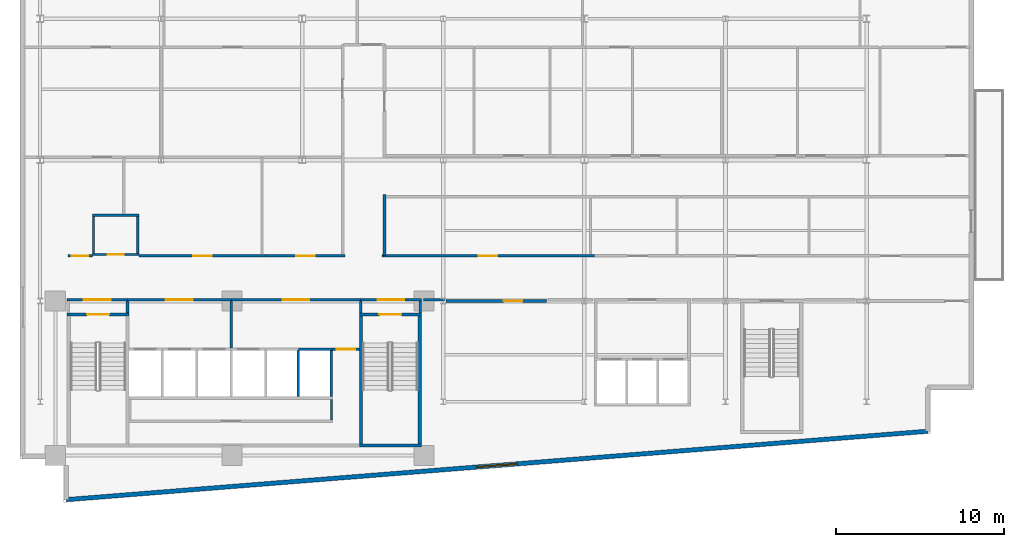
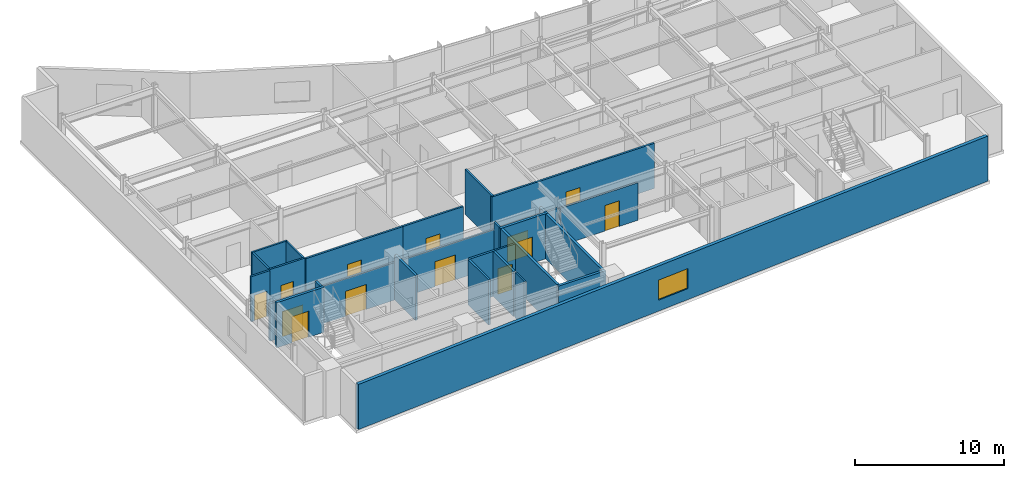
# One storey, part 9 of 17: 30 walls, 13 doors, 1 window, 14 openings.
"""IFC4 building model written with IfcOpenShell, lengths in metres."""

from ifc_helpers import new_model, si_unit, direction, frame, frame_2d, origin, place, context, subcontext, project, spatial, rectangle, extrude, material, layer, layer_set, type_object, element, fill, save


model = new_model("IFC4")

# Units and contexts
model_context = context("Model", 3, precision=1e-05, world=origin(), true_north=direction((0.0, 1.0)))
body_context = subcontext(model_context, "Body", "Model", "MODEL_VIEW")
ifc_project = project(units=[si_unit("LENGTHUNIT", "METRE"), si_unit("AREAUNIT", "SQUARE_METRE"), si_unit("VOLUMEUNIT", "CUBIC_METRE"), si_unit("PLANEANGLEUNIT", "RADIAN"), si_unit("MASSUNIT", "GRAM", prefix="KILO")], contexts=[model_context])

# Site, building, storey
site_placement = place(None, origin())
site = spatial("IfcSite", under=ifc_project, at=site_placement, CompositionType="ELEMENT")
building_placement = place(site_placement, origin())
building = spatial("IfcBuilding", under=site, at=building_placement, Name="Varnakote Quay Hospital", CompositionType="ELEMENT")
storey_placement = place(building_placement, frame((0.0, 0.0, 134.949951171875)))
storey = spatial("IfcBuildingStorey", under=building, at=storey_placement, Name="L33", CompositionType="ELEMENT", Elevation=134.949951171875)

# Wall, opening, door
ifc_material_1 = material(Name="Fire-rated acoustic gypsum stud wall", Category="gypsum")
ifc_layer_1 = layer(ifc_material_1, 0.159912109375)
ifc_layer_set_1 = layer_set([ifc_layer_1], Name="Fire-rated acoustic gypsum stud wall")
wall_type_1 = type_object("IfcWallType", Name="WL-COMP-160", PredefinedType="PARTITIONING", material=ifc_layer_set_1)
wall_1_placement = place(storey_placement, frame((2.800048828125, 12.080078125, 0.0), z_axis=(0.0, 0.0, 1.0), x_axis=(1.0, 0.0, 0.0)))
wall_1 = element("IfcWall", 1, at=wall_1_placement, inside=storey, type_object=wall_type_1, Name="L33 West Stair Vestibule Smoke Wall", PredefinedType="PARTITIONING", context=body_context, shape_type="SweptSolid", body=[
    extrude(rectangle(XDim=3.599853515625, YDim=0.159912109375, at=frame_2d((1.7998046875, 0.0))), origin(), (0.0, 0.0, 1.0), 3.0830078125),
])
opening_1_placement = place(wall_1_placement, frame((1.0, 0.0, 0.0)))
opening_1 = element("IfcOpeningElement", 2, at=opening_1_placement, cuts=wall_1, Name="Opening D-ST1L-L33", PredefinedType="OPENING", context=body_context, shape_type="SweptSolid", body=[
    extrude(rectangle(XDim=1.60009765625, YDim=2.050048828125, at=frame_2d((0.800048828125, 1.02490234375))), frame((0.0, 0.08984375, 0.0), z_axis=(0.0, -1.0, 0.0), x_axis=(1.0, 0.0, 0.0)), (0.0, 0.0, 1.0), 0.179931640625),
])
ifc_material_2 = material(Name="Fire-rated double smoke lobby door")
door_type_1 = type_object("IfcDoorType", Name="DR-LOBBY-FD60S-1600x2150", OperationType="NOTDEFINED", PredefinedType="DOOR", material=ifc_material_2)
door_1_placement = place(opening_1_placement, origin())
door_1 = element("IfcDoor", 3, at=door_1_placement, inside=storey, type_object=door_type_1, Name="L33 West Stair Vestibule Smoke Door", OperationType="DOUBLE_DOOR_SINGLE_SWING", OverallHeight=2.050048828125, OverallWidth=1.60009765625, PredefinedType="DOOR", context=body_context, shape_type="SweptSolid", body=[
    extrude(rectangle(XDim=1.60009765625, YDim=2.050048828125, at=frame_2d((0.800048828125, 1.02490234375))), frame((0.0, 0.02490234375, 0.0), z_axis=(0.0, -1.0, 0.0), x_axis=(1.0, 0.0, 0.0)), (0.0, 0.0, 1.0), 0.050048828125),
])
fill(opening_1, door_1)

# Wall
wall_2_placement = place(storey_placement, frame((6.39990234375, 11.300048828125, 0.0), z_axis=(0.0, 0.0, 1.0), x_axis=(0.0, 1.0, 0.0)))
element("IfcWall", 4, at=wall_2_placement, inside=storey, type_object=wall_type_1, Name="L33 Firefighting Lobby West Wall", PredefinedType="PARTITIONING", context=body_context, shape_type="SweptSolid", body=[
    extrude(rectangle(XDim=0.699951171875, YDim=0.159912109375, at=frame_2d((0.35009765625, 0.0))), origin(), (0.0, 0.0, 1.0), 3.7099609375),
])

# Wall, opening, door
wall_3_placement = place(storey_placement, frame((6.39990234375, 12.080078125, 0.0), z_axis=(0.0, 0.0, 1.0), x_axis=(1.0, 0.0, 0.0)))
wall_3 = element("IfcWall", 5, at=wall_3_placement, inside=storey, type_object=wall_type_1, Name="L33 Firefighting Lift Lobby Compartment Wall", PredefinedType="PARTITIONING", context=body_context, shape_type="SweptSolid", body=[
    extrude(rectangle(XDim=6.18017578125, YDim=0.159912109375, at=frame_2d((3.090087890625, 0.0))), origin(), (0.0, 0.0, 1.0), 3.0830078125),
])
opening_2_placement = place(wall_3_placement, frame((2.2900390625, 0.0, 0.0)))
opening_2 = element("IfcOpeningElement", 6, at=opening_2_placement, cuts=wall_3, Name="Opening D-FFL-L33", PredefinedType="OPENING", context=body_context, shape_type="SweptSolid", body=[
    extrude(rectangle(XDim=1.60009765625, YDim=2.050048828125, at=frame_2d((0.800048828125, 1.02490234375))), frame((0.0, 0.08984375, 0.0), z_axis=(0.0, -1.0, 0.0), x_axis=(1.0, 0.0, 0.0)), (0.0, 0.0, 1.0), 0.179931640625),
])
door_2_placement = place(opening_2_placement, origin())
door_2 = element("IfcDoor", 7, at=door_2_placement, inside=storey, type_object=door_type_1, Name="L33 Firefighting Smoke Vestibule Door", OperationType="DOUBLE_DOOR_SINGLE_SWING", OverallHeight=2.050048828125, OverallWidth=1.60009765625, PredefinedType="DOOR", context=body_context, shape_type="SweptSolid", body=[
    extrude(rectangle(XDim=1.60009765625, YDim=2.050048828125, at=frame_2d((0.800048828125, 1.02490234375))), frame((0.0, 0.02490234375, 0.0), z_axis=(0.0, -1.0, 0.0), x_axis=(1.0, 0.0, 0.0)), (0.0, 0.0, 1.0), 0.050048828125),
])
fill(opening_2, door_2)

# Wall
wall_4_placement = place(storey_placement, frame((12.580078125, 9.2099609375, 0.0), z_axis=(0.0, 0.0, 1.0), x_axis=(0.0, 1.0, 0.0)))
element("IfcWall", 8, at=wall_4_placement, inside=storey, type_object=wall_type_1, Name="L33 Firefighting to Service Lobby Wall", PredefinedType="PARTITIONING", context=body_context, shape_type="SweptSolid", body=[
    extrude(rectangle(XDim=2.7900390625, YDim=0.159912109375, at=frame_2d((1.39501953125, 0.0))), origin(), (0.0, 0.0, 1.0), 3.7099609375),
])

# Wall, opening, door
wall_5_placement = place(storey_placement, frame((12.580078125, 12.080078125, 0.0), z_axis=(0.0, 0.0, 1.0), x_axis=(1.0, 0.0, 0.0)))
wall_5 = element("IfcWall", 9, at=wall_5_placement, inside=storey, type_object=wall_type_1, Name="L33 Clinical Bed Lift Lobby Wall", PredefinedType="PARTITIONING", context=body_context, shape_type="SweptSolid", body=[
    extrude(rectangle(XDim=7.699951171875, YDim=0.159912109375, at=frame_2d((3.85009765625, 0.0))), origin(), (0.0, 0.0, 1.0), 3.0830078125),
])
opening_3_placement = place(wall_5_placement, frame((3.050048828125, 0.0, 0.0)))
opening_3 = element("IfcOpeningElement", 10, at=opening_3_placement, cuts=wall_5, Name="Opening D-SVL-L33", PredefinedType="OPENING", context=body_context, shape_type="SweptSolid", body=[
    extrude(rectangle(XDim=1.60009765625, YDim=2.050048828125, at=frame_2d((0.800048828125, 1.02490234375))), frame((0.0, 0.08984375, 0.0), z_axis=(0.0, -1.0, 0.0), x_axis=(1.0, 0.0, 0.0)), (0.0, 0.0, 1.0), 0.179931640625),
])
door_3_placement = place(opening_3_placement, origin())
door_3 = element("IfcDoor", 11, at=door_3_placement, inside=storey, type_object=door_type_1, Name="L33 Clinical Core Smoke Vestibule Door", OperationType="DOUBLE_DOOR_SINGLE_SWING", OverallHeight=2.050048828125, OverallWidth=1.60009765625, PredefinedType="DOOR", context=body_context, shape_type="SweptSolid", body=[
    extrude(rectangle(XDim=1.60009765625, YDim=2.050048828125, at=frame_2d((0.800048828125, 1.02490234375))), frame((0.0, 0.02490234375, 0.0), z_axis=(0.0, -1.0, 0.0), x_axis=(1.0, 0.0, 0.0)), (0.0, 0.0, 1.0), 0.050048828125),
])
fill(opening_3, door_3)

# Wall
wall_6_placement = place(storey_placement, frame((20.280029296875, 11.300048828125, 0.0), z_axis=(0.0, 0.0, 1.0), x_axis=(0.0, 1.0, 0.0)))
element("IfcWall", 12, at=wall_6_placement, inside=storey, type_object=wall_type_1, Name="L33 East Stair Vestibule Divider Wall", PredefinedType="PARTITIONING", context=body_context, shape_type="SweptSolid", body=[
    extrude(rectangle(XDim=0.699951171875, YDim=0.159912109375, at=frame_2d((0.35009765625, 0.0))), origin(), (0.0, 0.0, 1.0), 3.7099609375),
])

# Wall, opening, door
wall_7_placement = place(storey_placement, frame((20.280029296875, 12.080078125, 0.0), z_axis=(0.0, 0.0, 1.0), x_axis=(1.0, 0.0, 0.0)))
wall_7 = element("IfcWall", 13, at=wall_7_placement, inside=storey, type_object=wall_type_1, Name="L33 East Stair Vestibule Smoke Wall", PredefinedType="PARTITIONING", context=body_context, shape_type="SweptSolid", body=[
    extrude(rectangle(XDim=3.619873046875, YDim=0.159912109375, at=frame_2d((1.81005859375, 0.0))), origin(), (0.0, 0.0, 1.0), 3.0830078125),
])
opening_4_placement = place(wall_7_placement, frame((1.010009765625, 0.0, 0.0)))
opening_4 = element("IfcOpeningElement", 14, at=opening_4_placement, cuts=wall_7, Name="Opening D-ST2L-L33", PredefinedType="OPENING", context=body_context, shape_type="SweptSolid", body=[
    extrude(rectangle(XDim=1.60009765625, YDim=2.050048828125, at=frame_2d((0.800048828125, 1.02490234375))), frame((0.0, 0.08984375, 0.0), z_axis=(0.0, -1.0, 0.0), x_axis=(1.0, 0.0, 0.0)), (0.0, 0.0, 1.0), 0.179931640625),
])
door_4_placement = place(opening_4_placement, origin())
door_4 = element("IfcDoor", 15, at=door_4_placement, inside=storey, type_object=door_type_1, Name="L33 East Stair Vestibule Smoke Door", OperationType="DOUBLE_DOOR_SINGLE_SWING", OverallHeight=2.050048828125, OverallWidth=1.60009765625, PredefinedType="DOOR", context=body_context, shape_type="SweptSolid", body=[
    extrude(rectangle(XDim=1.60009765625, YDim=2.050048828125, at=frame_2d((0.800048828125, 1.02490234375))), frame((0.0, 0.02490234375, 0.0), z_axis=(0.0, -1.0, 0.0), x_axis=(1.0, 0.0, 0.0)), (0.0, 0.0, 1.0), 0.050048828125),
])
fill(opening_4, door_4)

# Walls
wall_8_placement = place(storey_placement, frame((23.820068359375, 11.300048828125, 0.0), z_axis=(0.0, 0.0, 1.0), x_axis=(0.0, 1.0, 0.0)))
element("IfcWall", 16, at=wall_8_placement, inside=storey, type_object=wall_type_1, Name="L33 East Stair Vestibule East Wall", PredefinedType="PARTITIONING", context=body_context, shape_type="SweptSolid", body=[
    extrude(rectangle(XDim=0.699951171875, YDim=0.159912109375, at=frame_2d((0.35009765625, 0.0))), origin(), (0.0, 0.0, 1.0), 3.7099609375),
])
wall_9_placement = place(storey_placement, frame((24.02001953125, 12.080078125, 0.0), z_axis=(0.0, 0.0, 1.0), x_axis=(1.0, 0.0, 0.0)))
element("IfcWall", 17, at=wall_9_placement, inside=storey, type_object=wall_type_1, Name="L33 Corridor South Gap Wall", PredefinedType="PARTITIONING", context=body_context, shape_type="SweptSolid", body=[
    extrude(rectangle(XDim=1.2451171875, YDim=0.159912109375, at=frame_2d((0.62255859375, 0.0))), origin(), (0.0, 0.0, 1.0), 3.0830078125),
])

# Wall, opening, window
ifc_material_3 = material(Name="Precast concrete N50 (f'c 50 MPa)", Category="concrete")
ifc_layer_2 = layer(ifc_material_3, 0.260009765625)
ifc_layer_set_2 = layer_set([ifc_layer_2], Name="Precast concrete N50 (f'c 50 MPa)")
wall_type_2 = type_object("IfcWallType", Name="WL-EXT-BRICK-260", PredefinedType="STANDARD", material=ifc_layer_set_2)
wall_10_placement = place(storey_placement, frame((2.760009765625, 0.173095703125, 0.0), z_axis=(0.0, 0.0, 1.0), x_axis=(0.996857931723, 0.079210251617, 0.0)))
wall_10 = element("IfcWall", 18, at=wall_10_placement, inside=storey, type_object=wall_type_2, Name="L33 Brick-Faced Precast Exterior Wall", PredefinedType="STANDARD", context=body_context, shape_type="SweptSolid", body=[
    extrude(rectangle(XDim=51.441650390625, YDim=0.260009765625, at=frame_2d((25.720703125, 0.0))), origin(), (0.0, 0.0, 1.0), 3.7099609375),
])
opening_5_placement = place(wall_10_placement, frame((24.520751953125, 0.0, 0.89990234375)))
opening_5 = element("IfcOpeningElement", 19, at=opening_5_placement, cuts=wall_10, Name="Opening WN-0142", PredefinedType="OPENING", context=body_context, shape_type="SweptSolid", body=[
    extrude(rectangle(XDim=2.39990234375, YDim=1.64990234375, at=frame_2d((1.199951171875, 0.824951171875))), frame((0.0, 0.139892578125, 0.0), z_axis=(0.0, -1.0, 0.0), x_axis=(1.0, 0.0, 0.0)), (0.0, 0.0, 1.0), 0.280029296875),
])
ifc_material_4 = material(Name="Double-glazed low-E solar glass", Category="glass")
window_type = type_object("IfcWindowType", Name="WIN-CLIN-2400x1650", PartitioningType="SINGLE_PANEL", PredefinedType="WINDOW", material=ifc_material_4)
window_placement = place(opening_5_placement, origin())
window = element("IfcWindow", 20, at=window_placement, inside=storey, type_object=window_type, Name="L33 Solar-Control Clinical Window", OverallHeight=1.64990234375, OverallWidth=2.39990234375, PartitioningType="SINGLE_PANEL", PredefinedType="WINDOW", context=body_context, shape_type="SweptSolid", body=[
    extrude(rectangle(XDim=2.39990234375, YDim=1.64990234375, at=frame_2d((1.199951171875, 0.824951171875))), frame((0.0, 0.030029296875, 0.0), z_axis=(0.0, -1.0, 0.0), x_axis=(1.0, 0.0, 0.0)), (0.0, 0.0, 1.0), 0.06005859375),
])
fill(opening_5, window)

# Walls
ifc_material_5 = material(Name="Concrete N50 (f'c 50 MPa)", Category="concrete")
ifc_layer_3 = layer(ifc_material_5, 0.14990234375)
ifc_layer_set_3 = layer_set([ifc_layer_3], Name="Concrete N50 (f'c 50 MPa)")
wall_type_3 = type_object("IfcWallType", Name="WL-SHAFT-N50-150", PredefinedType="SHEAR", material=ifc_layer_set_3)
wall_11_placement = place(storey_placement, frame((16.574951171875, 6.300048828125, 0.0), z_axis=(0.0, 0.0, 1.0), x_axis=(0.0, 1.0, 0.0)))
element("IfcWall", 21, at=wall_11_placement, inside=storey, type_object=wall_type_3, Name="L33 LF-PH1 Hoistway Divider Wall", PredefinedType="SHEAR", context=body_context, shape_type="SweptSolid", body=[
    extrude(rectangle(XDim=2.75, YDim=0.14990234375, at=frame_2d((1.375, 0.0))), origin(), (0.0, 0.0, 1.0), 3.7099609375),
])
ifc_material_6 = material(Name="Concrete N50 (f'c 50 MPa)", Category="concrete")
ifc_layer_4 = layer(ifc_material_6, 0.159912109375)
ifc_layer_set_4 = layer_set([ifc_layer_4], Name="Concrete N50 (f'c 50 MPa)")
wall_type_4 = type_object("IfcWallType", Name="WL-SHAFT-N50-160", PredefinedType="SHEAR", material=ifc_layer_set_4)
wall_12_placement = place(storey_placement, frame((18.530029296875, 6.300048828125, 0.0), z_axis=(0.0, 0.0, 1.0), x_axis=(0.0, 1.0, 0.0)))
element("IfcWall", 22, at=wall_12_placement, inside=storey, type_object=wall_type_4, Name="L33 REAR Lift Bank East Shear Wall", PredefinedType="SHEAR", context=body_context, shape_type="SweptSolid", body=[
    extrude(rectangle(XDim=2.75, YDim=0.159912109375, at=frame_2d((1.375, 0.0))), origin(), (0.0, 0.0, 1.0), 3.7099609375),
])
wall_13_placement = place(storey_placement, frame((16.574951171875, 9.1298828125, 0.0), z_axis=(0.0, 0.0, 1.0), x_axis=(1.0, 0.0, 0.0)))
element("IfcWall", 23, at=wall_13_placement, inside=storey, type_object=wall_type_4, Name="L33 LF-PH2 Hoistway Front Wall", PredefinedType="SHEAR", context=body_context, shape_type="SweptSolid", body=[
    extrude(rectangle(XDim=2.03515625, YDim=0.159912109375, at=frame_2d((1.017578125, 0.0))), origin(), (0.0, 0.0, 1.0), 3.7099609375),
])

# Wall, opening, door
ifc_material_7 = material(Name="Concrete N50 (f'c 50 MPa)", Category="concrete")
ifc_layer_5 = layer(ifc_material_7, 0.199951171875)
ifc_layer_set_5 = layer_set([ifc_layer_5], Name="Concrete N50 (f'c 50 MPa)")
wall_type_5 = type_object("IfcWallType", Name="WL-SHAFT-N50-200", PredefinedType="SHEAR", material=ifc_layer_set_5)
wall_14_placement = place(storey_placement, frame((2.800048828125, 11.199951171875, 0.0), z_axis=(0.0, 0.0, 1.0), x_axis=(1.0, 0.0, 0.0)))
wall_14 = element("IfcWall", 24, at=wall_14_placement, inside=storey, type_object=wall_type_5, Name="L33 Stair ST1 Exit Wall", PredefinedType="SHEAR", context=body_context, shape_type="SweptSolid", body=[
    extrude(rectangle(XDim=3.699951171875, YDim=0.199951171875, at=frame_2d((1.85009765625, 0.0))), origin(), (0.0, 0.0, 1.0), 3.7099609375),
])
opening_6_placement = place(wall_14_placement, frame((1.199951171875, 0.0, 0.0)))
opening_6 = element("IfcOpeningElement", 25, at=opening_6_placement, cuts=wall_14, Name="Opening D-ST1-L33", PredefinedType="OPENING", context=body_context, shape_type="SweptSolid", body=[
    extrude(rectangle(XDim=1.300048828125, YDim=2.14990234375, at=frame_2d((0.64990234375, 1.074951171875))), frame((0.0, 0.10986328125, 0.0), z_axis=(0.0, -1.0, 0.0), x_axis=(1.0, 0.0, 0.0)), (0.0, 0.0, 1.0), 0.219970703125),
])
ifc_material_8 = material(Name="Fire-rated ceramic-glazed timber exit door", Category="wood")
door_type_2 = type_object("IfcDoorType", Name="DR-STAIR-FD60S-1300x2150", OperationType="NOTDEFINED", PredefinedType="DOOR", material=ifc_material_8)
door_5_placement = place(opening_6_placement, origin())
door_5 = element("IfcDoor", 26, at=door_5_placement, inside=storey, type_object=door_type_2, Name="L33 Stair ST1 Fire Exit Door", OperationType="SINGLE_SWING_RIGHT", OverallHeight=2.14990234375, OverallWidth=1.300048828125, PredefinedType="DOOR", context=body_context, shape_type="SweptSolid", body=[
    extrude(rectangle(XDim=1.300048828125, YDim=2.14990234375, at=frame_2d((0.64990234375, 1.074951171875))), frame((0.0, 0.02490234375, 0.0), z_axis=(0.0, -1.0, 0.0), x_axis=(1.0, 0.0, 0.0)), (0.0, 0.0, 1.0), 0.050048828125),
])
fill(opening_6, door_5)

# Walls
wall_15_placement = place(storey_placement, frame((20.199951171875, 3.39990234375, 0.0), z_axis=(0.0, 0.0, 1.0), x_axis=(1.0, 0.0, 0.0)))
element("IfcWall", 27, at=wall_15_placement, inside=storey, type_object=wall_type_5, Name="L33 Stair ST2 South Shaft Wall", PredefinedType="SHEAR", context=body_context, shape_type="SweptSolid", body=[
    extrude(rectangle(XDim=3.699951171875, YDim=0.199951171875, at=frame_2d((1.85009765625, 0.0))), origin(), (0.0, 0.0, 1.0), 3.7099609375),
])
for number, where, z_axis, x_axis, name in (
    (28, (20.300048828125, 3.5, 0.0), (0.0, 0.0, 1.0), (0.0, 1.0, 0.0), "L33 Stair ST2 West Shaft Wall"),
    (29, (23.800048828125, 3.5, 0.0), (0.0, 0.0, 1.0), (0.0, 1.0, 0.0), "L33 Stair ST2 East Shaft Wall"),
):
    element("IfcWall", number, at=place(storey_placement, frame(where, z_axis=z_axis, x_axis=x_axis)), inside=storey, type_object=wall_type_5, Name=name, PredefinedType="SHEAR", context=body_context, shape_type="SweptSolid", body=[
        extrude(rectangle(XDim=7.60009765625, YDim=0.199951171875, at=frame_2d((3.800048828125, 0.0))), origin(), (0.0, 0.0, 1.0), 3.7099609375),
    ])

# Wall, opening, door
wall_16_placement = place(storey_placement, frame((20.199951171875, 11.199951171875, 0.0), z_axis=(0.0, 0.0, 1.0), x_axis=(1.0, 0.0, 0.0)))
wall_16 = element("IfcWall", 30, at=wall_16_placement, inside=storey, type_object=wall_type_5, Name="L33 Stair ST2 Exit Wall", PredefinedType="SHEAR", context=body_context, shape_type="SweptSolid", body=[
    extrude(rectangle(XDim=3.699951171875, YDim=0.199951171875, at=frame_2d((1.85009765625, 0.0))), origin(), (0.0, 0.0, 1.0), 3.7099609375),
])
opening_7_placement = place(wall_16_placement, frame((1.199951171875, 0.0, 0.0)))
opening_7 = element("IfcOpeningElement", 31, at=opening_7_placement, cuts=wall_16, Name="Opening D-ST2-L33", PredefinedType="OPENING", context=body_context, shape_type="SweptSolid", body=[
    extrude(rectangle(XDim=1.300048828125, YDim=2.14990234375, at=frame_2d((0.64990234375, 1.074951171875))), frame((0.0, 0.10986328125, 0.0), z_axis=(0.0, -1.0, 0.0), x_axis=(1.0, 0.0, 0.0)), (0.0, 0.0, 1.0), 0.219970703125),
])
door_6_placement = place(opening_7_placement, origin())
door_6 = element("IfcDoor", 32, at=door_6_placement, inside=storey, type_object=door_type_2, Name="L33 Stair ST2 Fire Exit Door", OperationType="SINGLE_SWING_LEFT", OverallHeight=2.14990234375, OverallWidth=1.300048828125, PredefinedType="DOOR", context=body_context, shape_type="SweptSolid", body=[
    extrude(rectangle(XDim=1.300048828125, YDim=2.14990234375, at=frame_2d((0.64990234375, 1.074951171875))), frame((0.0, 0.02490234375, 0.0), z_axis=(0.0, -1.0, 0.0), x_axis=(1.0, 0.0, 0.0)), (0.0, 0.0, 1.0), 0.050048828125),
])
fill(opening_7, door_6)

# Wall
ifc_material_9 = material(Name="Smoke-proof clinical partition", Category="gypsum")
ifc_layer_6 = layer(ifc_material_9, 0.1201171875)
ifc_layer_set_6 = layer_set([ifc_layer_6], Name="Smoke-proof clinical partition")
wall_type_6 = type_object("IfcWallType", Name="WL-SMOKE-120", PredefinedType="PARTITIONING", material=ifc_layer_set_6)
wall_17_placement = place(storey_placement, frame((18.5400390625, 4.919921875, 0.0), z_axis=(0.0, 0.0, 1.0), x_axis=(0.0, 1.0, 0.0)))
element("IfcWall", 33, at=wall_17_placement, inside=storey, type_object=wall_type_6, Name="L33 Core Service Strip East Wall", PredefinedType="PARTITIONING", context=body_context, shape_type="SweptSolid", body=[
    extrude(rectangle(XDim=1.219970703125, YDim=0.1201171875, at=frame_2d((0.60986328125, 0.0))), origin(), (0.0, 0.0, 1.0), 3.7099609375),
])

# Wall, opening, door
ifc_material_10 = material(Name="Fire-rated clinical gypsum partition", Category="gypsum")
ifc_layer_7 = layer(ifc_material_10, 0.139892578125)
ifc_layer_set_7 = layer_set([ifc_layer_7], Name="Fire-rated clinical gypsum partition")
wall_type_7 = type_object("IfcWallType", Name="WL-WARD-140", PredefinedType="PARTITIONING", material=ifc_layer_set_7)
wall_18_placement = place(storey_placement, frame((18.610107421875, 9.1298828125, 0.0), z_axis=(0.0, 0.0, 1.0), x_axis=(1.0, 0.0, 0.0)))
wall_18 = element("IfcWall", 34, at=wall_18_placement, inside=storey, type_object=wall_type_7, Name="L33 Core Service Corridor North Door Wall", PredefinedType="PARTITIONING", context=body_context, shape_type="SweptSolid", body=[
    extrude(rectangle(XDim=1.58984375, YDim=0.139892578125, at=frame_2d((0.794921875, 0.0))), origin(), (0.0, 0.0, 1.0), 3.7099609375),
])
opening_8_placement = place(wall_18_placement, frame((0.239990234375, 0.0, 0.0)))
opening_8 = element("IfcOpeningElement", 35, at=opening_8_placement, cuts=wall_18, Name="Opening D-CSRV-L33", PredefinedType="OPENING", context=body_context, shape_type="SweptSolid", body=[
    extrude(rectangle(XDim=1.10009765625, YDim=2.10009765625, at=frame_2d((0.550048828125, 1.050048828125))), frame((0.0, 0.079833984375, 0.0), z_axis=(0.0, -1.0, 0.0), x_axis=(1.0, 0.0, 0.0)), (0.0, 0.0, 1.0), 0.159912109375),
])
ifc_material_11 = material(Name="Acoustic timber clinical consult door", Category="wood")
door_type_3 = type_object("IfcDoorType", Name="DR-CLIN-FD30S-1100x2100", OperationType="NOTDEFINED", PredefinedType="DOOR", material=ifc_material_11)
door_7_placement = place(opening_8_placement, origin())
door_7 = element("IfcDoor", 36, at=door_7_placement, inside=storey, type_object=door_type_3, Name="L33 Core Service Corridor Door", OperationType="SINGLE_SWING_RIGHT", OverallHeight=2.10009765625, OverallWidth=1.10009765625, PredefinedType="DOOR", context=body_context, shape_type="SweptSolid", body=[
    extrude(rectangle(XDim=1.10009765625, YDim=2.10009765625, at=frame_2d((0.550048828125, 1.050048828125))), frame((0.0, 0.02490234375, 0.0), z_axis=(0.0, -1.0, 0.0), x_axis=(1.0, 0.0, 0.0)), (0.0, 0.0, 1.0), 0.050048828125),
])
fill(opening_8, door_7)

wall_19_placement = place(storey_placement, frame((4.31005859375, 14.77001953125, 0.0), z_axis=(0.0, 0.0, 1.0), x_axis=(1.0, 0.0, 0.0)))
wall_19 = element("IfcWall", 37, at=wall_19_placement, inside=storey, type_object=wall_type_7, Name="L33 Floor Unisex Accessible WC S Wall", PredefinedType="PARTITIONING", context=body_context, shape_type="SweptSolid", body=[
    extrude(rectangle(XDim=2.780029296875, YDim=0.139892578125, at=frame_2d((1.39013671875, 0.0))), origin(), (0.0, 0.0, 1.0), 3.7099609375),
])
opening_9_placement = place(wall_19_placement, frame((0.89990234375, 0.0, 0.0)))
opening_9 = element("IfcOpeningElement", 38, at=opening_9_placement, cuts=wall_19, Name="Opening D-L33-EW01", PredefinedType="OPENING", context=body_context, shape_type="SweptSolid", body=[
    extrude(rectangle(XDim=0.97998046875, YDim=2.10009765625, at=frame_2d((0.489990234375, 1.050048828125))), frame((0.0, 0.079833984375, 0.0), z_axis=(0.0, -1.0, 0.0), x_axis=(1.0, 0.0, 0.0)), (0.0, 0.0, 1.0), 0.159912109375),
])
ifc_material_12 = material(Name="Accessible sanitary compartment door")
door_type_4 = type_object("IfcDoorType", Name="DR-WC-980x2100", OperationType="NOTDEFINED", PredefinedType="DOOR", material=ifc_material_12)
door_8_placement = place(opening_9_placement, origin())
door_8 = element("IfcDoor", 39, at=door_8_placement, inside=storey, type_object=door_type_4, Name="L33 Floor Unisex Accessible WC Door", OperationType="SINGLE_SWING_LEFT", OverallHeight=2.10009765625, OverallWidth=0.97998046875, PredefinedType="DOOR", context=body_context, shape_type="SweptSolid", body=[
    extrude(rectangle(XDim=0.97998046875, YDim=2.10009765625, at=frame_2d((0.489990234375, 1.050048828125))), frame((0.0, 0.02490234375, 0.0), z_axis=(0.0, -1.0, 0.0), x_axis=(1.0, 0.0, 0.0)), (0.0, 0.0, 1.0), 0.050048828125),
])
fill(opening_9, door_8)

# Walls
wall_20_placement = place(storey_placement, frame((4.31005859375, 17.110107421875, 0.0), z_axis=(0.0, 0.0, 1.0), x_axis=(1.0, 0.0, 0.0)))
element("IfcWall", 40, at=wall_20_placement, inside=storey, type_object=wall_type_7, Name="L33 Floor Unisex Accessible WC N Wall", PredefinedType="PARTITIONING", context=body_context, shape_type="SweptSolid", body=[
    extrude(rectangle(XDim=2.780029296875, YDim=0.139892578125, at=frame_2d((1.39013671875, 0.0))), origin(), (0.0, 0.0, 1.0), 3.7099609375),
])
for number, where, z_axis, x_axis, name in (
    (41, (4.3798828125, 14.840087890625, 0.0), (0.0, 0.0, 1.0), (0.0, 1.0, 0.0), "L33 Floor Unisex Accessible WC W Wall"),
    (42, (7.02001953125, 14.840087890625, 0.0), (0.0, 0.0, 1.0), (0.0, 1.0, 0.0), "L33 Floor Unisex Accessible WC E Wall"),
):
    element("IfcWall", number, at=place(storey_placement, frame(where, z_axis=z_axis, x_axis=x_axis)), inside=storey, type_object=wall_type_7, Name=name, PredefinedType="PARTITIONING", context=body_context, shape_type="SweptSolid", body=[
        extrude(rectangle(XDim=2.199951171875, YDim=0.139892578125, at=frame_2d((1.10009765625, 0.0))), origin(), (0.0, 0.0, 1.0), 3.7099609375),
    ])

# Wall, opening, door
ifc_material_13 = material(Name="Fire-rated clinical gypsum partition", Category="gypsum")
ifc_layer_8 = layer(ifc_material_13, 0.14990234375)
ifc_layer_set_8 = layer_set([ifc_layer_8], Name="Fire-rated clinical gypsum partition")
wall_type_8 = type_object("IfcWallType", Name="WL-WARD-150", PredefinedType="PARTITIONING", material=ifc_layer_set_8)
wall_21_placement = place(storey_placement, frame((31.35009765625, 12.0, 0.0), z_axis=(0.0, 0.0, 1.0), x_axis=(-1.0, 0.0, 0.0)))
wall_21 = element("IfcWall", 43, at=wall_21_placement, inside=storey, type_object=wall_type_8, Name="L33 Clinical Interior Partition", PredefinedType="PARTITIONING", context=body_context, shape_type="SweptSolid", body=[
    extrude(rectangle(XDim=5.99560546875, YDim=0.14990234375, at=frame_2d((2.997802734375, 0.0))), origin(), (0.0, 0.0, 1.0), 3.0830078125),
])
opening_10_placement = place(wall_21_placement, frame((1.436279296875, 0.0, 0.0)))
opening_10 = element("IfcOpeningElement", 44, at=opening_10_placement, cuts=wall_21, Name="Opening D-L33-RL1", PredefinedType="OPENING", context=body_context, shape_type="SweptSolid", body=[
    extrude(rectangle(XDim=1.10009765625, YDim=2.10009765625, at=frame_2d((0.550048828125, 1.050048828125))), frame((0.0, 0.0849609375, 0.0), z_axis=(0.0, -1.0, 0.0), x_axis=(1.0, 0.0, 0.0)), (0.0, 0.0, 1.0), 0.169921875),
])
door_9_placement = place(opening_10_placement, origin())
door_9 = element("IfcDoor", 45, at=door_9_placement, inside=storey, type_object=door_type_3, Name="L33 Day Infusion Treatment Suite Door", OperationType="SINGLE_SWING_RIGHT", OverallHeight=2.10009765625, OverallWidth=1.10009765625, PredefinedType="DOOR", context=body_context, shape_type="SweptSolid", body=[
    extrude(rectangle(XDim=1.10009765625, YDim=2.10009765625, at=frame_2d((0.550048828125, 1.050048828125))), frame((0.0, 0.02490234375, 0.0), z_axis=(0.0, -1.0, 0.0), x_axis=(1.0, 0.0, 0.0)), (0.0, 0.0, 1.0), 0.050048828125),
])
fill(opening_10, door_9)

wall_22_placement = place(storey_placement, frame((4.30810546875, 14.679931640625, 0.0), z_axis=(0.0, 0.0, 1.0), x_axis=(-1.0, 0.0, 0.0)))
wall_22 = element("IfcWall", 46, at=wall_22_placement, inside=storey, type_object=wall_type_8, Name="L33 Clinical Interior Partition", PredefinedType="PARTITIONING", context=body_context, shape_type="SweptSolid", body=[
    extrude(rectangle(XDim=1.4580078125, YDim=0.14990234375, at=frame_2d((0.72900390625, 0.0))), origin(), (0.0, 0.0, 1.0), 3.7099609375),
])
opening_11_placement = place(wall_22_placement, frame((0.239013671875, 0.0, 0.0)))
opening_11 = element("IfcOpeningElement", 47, at=opening_11_placement, cuts=wall_22, Name="Opening D-L33-MD01", PredefinedType="OPENING", context=body_context, shape_type="SweptSolid", body=[
    extrude(rectangle(XDim=0.97998046875, YDim=2.10009765625, at=frame_2d((0.489990234375, 1.050048828125))), frame((0.0, 0.0849609375, 0.0), z_axis=(0.0, -1.0, 0.0), x_axis=(1.0, 0.0, 0.0)), (0.0, 0.0, 1.0), 0.169921875),
])
door_10_placement = place(opening_11_placement, origin())
door_10 = element("IfcDoor", 48, at=door_10_placement, inside=storey, type_object=door_type_4, Name="L33 Day Procedure Treatment Suite Door", OperationType="SINGLE_SWING_RIGHT", OverallHeight=2.10009765625, OverallWidth=0.97998046875, PredefinedType="DOOR", context=body_context, shape_type="SweptSolid", body=[
    extrude(rectangle(XDim=0.97998046875, YDim=2.10009765625, at=frame_2d((0.489990234375, 1.050048828125))), frame((0.0, 0.02490234375, 0.0), z_axis=(0.0, -1.0, 0.0), x_axis=(1.0, 0.0, 0.0)), (0.0, 0.0, 1.0), 0.050048828125),
])
fill(opening_11, door_10)

wall_23_placement = place(storey_placement, frame((14.635986328125, 14.679931640625, 0.0), z_axis=(0.0, 0.0, 1.0), x_axis=(-1.0, 0.0, 0.0)))
wall_23 = element("IfcWall", 49, at=wall_23_placement, inside=storey, type_object=wall_type_8, Name="L33 Clinical Interior Partition", PredefinedType="PARTITIONING", context=body_context, shape_type="SweptSolid", body=[
    extrude(rectangle(XDim=7.5439453125, YDim=0.14990234375, at=frame_2d((3.77197265625, 0.0))), origin(), (0.0, 0.0, 1.0), 3.7099609375),
])
opening_12_placement = place(wall_23_placement, frame((3.221923828125, 0.0, 0.0)))
opening_12 = element("IfcOpeningElement", 50, at=opening_12_placement, cuts=wall_23, Name="Opening D-L33-MD02", PredefinedType="OPENING", context=body_context, shape_type="SweptSolid", body=[
    extrude(rectangle(XDim=1.10009765625, YDim=2.10009765625, at=frame_2d((0.550048828125, 1.050048828125))), frame((0.0, 0.0849609375, 0.0), z_axis=(0.0, -1.0, 0.0), x_axis=(1.0, 0.0, 0.0)), (0.0, 0.0, 1.0), 0.169921875),
])
door_11_placement = place(opening_12_placement, origin())
door_11 = element("IfcDoor", 51, at=door_11_placement, inside=storey, type_object=door_type_3, Name="L33 Endoscopy Infusion Treatment Suite Door", OperationType="SINGLE_SWING_LEFT", OverallHeight=2.10009765625, OverallWidth=1.10009765625, PredefinedType="DOOR", context=body_context, shape_type="SweptSolid", body=[
    extrude(rectangle(XDim=1.10009765625, YDim=2.10009765625, at=frame_2d((0.550048828125, 1.050048828125))), frame((0.0, 0.02490234375, 0.0), z_axis=(0.0, -1.0, 0.0), x_axis=(1.0, 0.0, 0.0)), (0.0, 0.0, 1.0), 0.050048828125),
])
fill(opening_12, door_11)

wall_24_placement = place(storey_placement, frame((19.345947265625, 14.679931640625, 0.0), z_axis=(0.0, 0.0, 1.0), x_axis=(-1.0, 0.0, 0.0)))
wall_24 = element("IfcWall", 52, at=wall_24_placement, inside=storey, type_object=wall_type_8, Name="L33 Clinical Interior Partition", PredefinedType="PARTITIONING", context=body_context, shape_type="SweptSolid", body=[
    extrude(rectangle(XDim=4.7080078125, YDim=0.14990234375, at=frame_2d((2.35400390625, 0.0))), origin(), (0.0, 0.0, 1.0), 3.7099609375),
])
opening_13_placement = place(wall_24_placement, frame((1.803955078125, 0.0, 0.0)))
opening_13 = element("IfcOpeningElement", 53, at=opening_13_placement, cuts=wall_24, Name="Opening D-L33-MD03", PredefinedType="OPENING", context=body_context, shape_type="SweptSolid", body=[
    extrude(rectangle(XDim=1.10009765625, YDim=2.10009765625, at=frame_2d((0.550048828125, 1.050048828125))), frame((0.0, 0.0849609375, 0.0), z_axis=(0.0, -1.0, 0.0), x_axis=(1.0, 0.0, 0.0)), (0.0, 0.0, 1.0), 0.169921875),
])
door_12_placement = place(opening_13_placement, origin())
door_12 = element("IfcDoor", 54, at=door_12_placement, inside=storey, type_object=door_type_3, Name="L33 Ward Nutrition Pantry Door", OperationType="SINGLE_SWING_RIGHT", OverallHeight=2.10009765625, OverallWidth=1.10009765625, PredefinedType="DOOR", context=body_context, shape_type="SweptSolid", body=[
    extrude(rectangle(XDim=1.10009765625, YDim=2.10009765625, at=frame_2d((0.550048828125, 1.050048828125))), frame((0.0, 0.02490234375, 0.0), z_axis=(0.0, -1.0, 0.0), x_axis=(1.0, 0.0, 0.0)), (0.0, 0.0, 1.0), 0.050048828125),
])
fill(opening_13, door_12)

wall_25_placement = place(storey_placement, frame((34.196044921875, 14.679931640625, 0.0), z_axis=(0.0, 0.0, 1.0), x_axis=(-1.0, 0.0, 0.0)))
wall_25 = element("IfcWall", 55, at=wall_25_placement, inside=storey, type_object=wall_type_8, Name="L33 Clinical Interior Partition", PredefinedType="PARTITIONING", context=body_context, shape_type="SweptSolid", body=[
    extrude(rectangle(XDim=12.64208984375, YDim=0.14990234375, at=frame_2d((6.321044921875, 0.0))), origin(), (0.0, 0.0, 1.0), 3.7099609375),
])
opening_14_placement = place(wall_25_placement, frame((5.77099609375, 0.0, 0.0)))
opening_14 = element("IfcOpeningElement", 56, at=opening_14_placement, cuts=wall_25, Name="Opening D-L33-MD04", PredefinedType="OPENING", context=body_context, shape_type="SweptSolid", body=[
    extrude(rectangle(XDim=1.10009765625, YDim=2.10009765625, at=frame_2d((0.550048828125, 1.050048828125))), frame((0.0, 0.0849609375, 0.0), z_axis=(0.0, -1.0, 0.0), x_axis=(1.0, 0.0, 0.0)), (0.0, 0.0, 1.0), 0.169921875),
])
door_13_placement = place(opening_14_placement, origin())
door_13 = element("IfcDoor", 57, at=door_13_placement, inside=storey, type_object=door_type_3, Name="L33 Clinical Coordinator Office Door", OperationType="SINGLE_SWING_LEFT", OverallHeight=2.10009765625, OverallWidth=1.10009765625, PredefinedType="DOOR", context=body_context, shape_type="SweptSolid", body=[
    extrude(rectangle(XDim=1.10009765625, YDim=2.10009765625, at=frame_2d((0.550048828125, 1.050048828125))), frame((0.0, 0.02490234375, 0.0), z_axis=(0.0, -1.0, 0.0), x_axis=(1.0, 0.0, 0.0)), (0.0, 0.0, 1.0), 0.050048828125),
])
fill(opening_14, door_13)

# Wall
wall_26_placement = place(storey_placement, frame((21.699951171875, 14.699951171875, 0.0), z_axis=(0.0, 0.0, 1.0), x_axis=(0.0, 1.0, 0.0)))
element("IfcWall", 58, at=wall_26_placement, inside=storey, type_object=wall_type_8, Name="L33 Clinical Interior Partition", PredefinedType="PARTITIONING", context=body_context, shape_type="SweptSolid", body=[
    extrude(rectangle(XDim=3.64599609375, YDim=0.14990234375, at=frame_2d((1.822998046875, 0.0))), origin(), (0.0, 0.0, 1.0), 3.7099609375),
])

save(model, "model.ifc")
